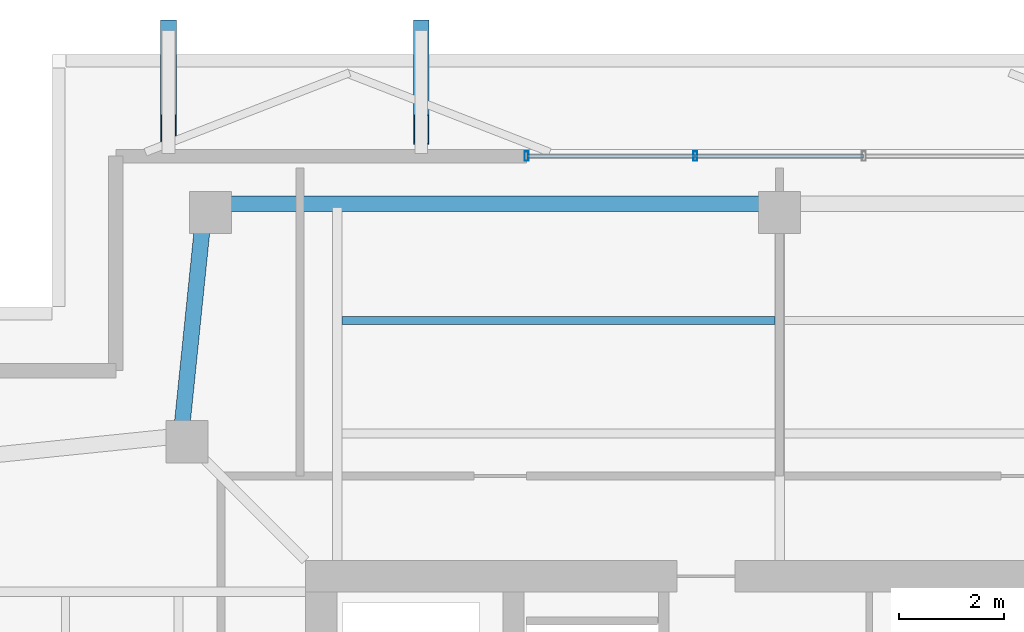
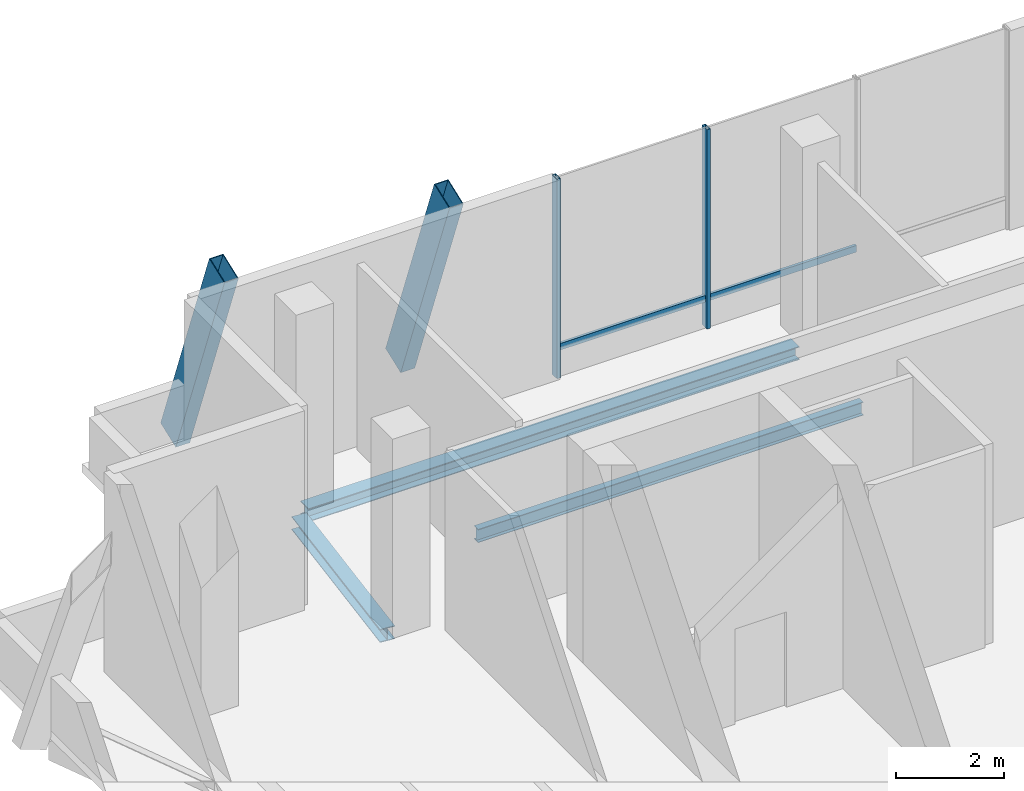
# One storey, part 10 of 15: 6 members, 3 beams, 1 element without a shape of its own.
"""IFC4 building model written with IfcOpenShell, lengths in metres."""

from ifc_helpers import new_model, si_unit, direction, frame, origin, origin_2d, place, context, subcontext, project, spatial, hollow_rectangle, i_section, extrude, material, layer, layer_set, material_profile, profile_set, type_object, element, aggregate, save


model = new_model("IFC4")

# Units and contexts
model_context = context("Model", 3, precision=1e-05, world=origin(), true_north=direction((0.0, 1.0)))
body_context = subcontext(model_context, "Body", "Model", "MODEL_VIEW")
ifc_project = project(units=[si_unit("LENGTHUNIT", "METRE"), si_unit("AREAUNIT", "SQUARE_METRE"), si_unit("VOLUMEUNIT", "CUBIC_METRE"), si_unit("PLANEANGLEUNIT", "RADIAN"), si_unit("MASSUNIT", "GRAM", prefix="KILO")], contexts=[model_context])

# Site, building, storey
site_placement = place(None, origin())
site = spatial("IfcSite", under=ifc_project, at=site_placement, CompositionType="ELEMENT")
building_placement = place(site_placement, origin())
building = spatial("IfcBuilding", under=site, at=building_placement, Name="Belovzor Exchange Tower", CompositionType="ELEMENT")
storey_placement = place(building_placement, frame((0.0, 0.0, 373.800048828125)))
storey = spatial("IfcBuildingStorey", under=building, at=storey_placement, Name="L93", CompositionType="ELEMENT", Elevation=373.800048828125)

# Beams
ifc_material_1 = material(Name="Steel S355", Category="steel")
ifc_material_profile_1 = material_profile(ifc_material_1, i_section(OverallWidth=0.300048828125, OverallDepth=0.300048828125, WebThickness=0.010986328125, FlangeThickness=0.01904296875, at=origin_2d()))
ifc_profile_set_1 = profile_set([ifc_material_profile_1], Name="Steel S355")
beam_type_1 = type_object("IfcBeamType", Name="Crown Plant Primary Beam HEB 300", PredefinedType="BEAM", material=ifc_profile_set_1)
beam_1_placement = place(storey_placement, frame((28.580078125, 44.569091796875, -0.449951171875), z_axis=(-1.0, 0.0, 0.0), x_axis=(0.0, -1.0, 0.0)))
element("IfcBeam", 1, at=beam_1_placement, inside=storey, type_object=beam_type_1, Name="FG-CR Crown Plant Primary Beam HEB 300", PredefinedType="BEAM", context=body_context, shape_type="SweptSolid", body=[
    extrude(i_section(OverallWidth=0.300048828125, OverallDepth=0.300048828125, WebThickness=0.010986328125, FlangeThickness=0.01904296875, at=origin_2d()), origin(), (0.0, 0.0, 1.0), 10.47216796875),
])
beam_2_placement = place(storey_placement, frame((17.865966796875, 44.35009765625, -0.449951171875), z_axis=(-0.101763348742, -0.994808635293, 0.0), x_axis=(0.994808635293, -0.101763348742, 0.0)))
element("IfcBeam", 2, at=beam_2_placement, inside=storey, type_object=beam_type_1, Name="FG-CR Crown Plant Primary Beam HEB 300", PredefinedType="BEAM", context=body_context, shape_type="SweptSolid", body=[
    extrude(i_section(OverallWidth=0.300048828125, OverallDepth=0.300048828125, WebThickness=0.010986328125, FlangeThickness=0.01904296875, at=origin_2d()), origin(), (0.0, 0.0, 1.0), 3.98974609375),
])
ifc_material_2 = material(Name="Steel S355", Category="steel")
ifc_material_profile_2 = material_profile(ifc_material_2, i_section(OverallWidth=0.14990234375, OverallDepth=0.300048828125, WebThickness=0.007080078125, FlangeThickness=0.0107421875, at=origin_2d()))
ifc_profile_set_2 = profile_set([ifc_material_profile_2], Name="Steel S355")
beam_type_2 = type_object("IfcBeamType", Name="Secondary Trim Floor Joist IPE 300", PredefinedType="BEAM", material=ifc_profile_set_2)
beam_3_placement = place(storey_placement, frame((20.489990234375, 42.35205078125, -0.449951171875), z_axis=(1.0, 0.0, 0.0), x_axis=(0.0, 1.0, 0.0)))
element("IfcBeam", 3, at=beam_3_placement, inside=storey, type_object=beam_type_2, Name="FJ-300 Secondary Trim Floor Joist IPE 300", PredefinedType="BEAM", context=body_context, shape_type="SweptSolid", body=[
    extrude(i_section(OverallWidth=0.14990234375, OverallDepth=0.300048828125, WebThickness=0.007080078125, FlangeThickness=0.0107421875, at=origin_2d()), origin(), (0.0, 0.0, 1.0), 8.219970703125),
])

# Curtain wall, members
ifc_material_3 = material(Name="Anodised Aluminium Framing", Category="aluminium")
ifc_layer = layer(ifc_material_3, 0.169921875)
ifc_layer_set = layer_set([ifc_layer], Name="Anodised Aluminium Framing")
curtain_wall_type = type_object("IfcCurtainWallType", Name="Stepped Crown Faceted Lantern Curtain Wall", PredefinedType="NOTDEFINED", material=ifc_layer_set)
curtain_wall_placement = place(storey_placement, origin())
curtain_wall = element("IfcCurtainWall", 4, at=curtain_wall_placement, inside=storey, type_object=curtain_wall_type, Name="CW6 Stepped Crown Faceted Lantern Curtain Wall L93", PredefinedType="NOTDEFINED")
ifc_material_4 = material(Name="Steel S355", Category="steel")
ifc_material_profile_3 = material_profile(ifc_material_4, hollow_rectangle(XDim=0.074951171875, YDim=0.179931640625, WallThickness=0.0048828125, at=origin_2d()))
ifc_profile_set_3 = profile_set([ifc_material_profile_3], Name="Steel S355")
member_type_1 = type_object("IfcMemberType", Name="Thermally Broken Curtain Wall Mullion 180x75", PredefinedType="MULLION", material=ifc_profile_set_3)
member_1_placement = place(storey_placement, frame((24.0, 45.469970703125, 0.0), z_axis=(0.0, 0.0, 1.0), x_axis=(1.0, 0.0, 0.0)))
member_1 = element("IfcMember", 5, at=member_1_placement, type_object=member_type_1, Name="CW-M180 Curtain Wall Mullion 1", PredefinedType="MULLION", context=body_context, shape_type="SweptSolid", body=[
    extrude(hollow_rectangle(XDim=0.074951171875, YDim=0.179931640625, WallThickness=0.0048828125, at=origin_2d()), origin(), (0.0, 0.0, 1.0), 4.5),
])
member_2_placement = place(storey_placement, frame((27.199951171875, 45.469970703125, 0.0), z_axis=(0.0, 0.0, 1.0), x_axis=(1.0, 0.0, 0.0)))
member_2 = element("IfcMember", 6, at=member_2_placement, type_object=member_type_1, Name="CW-M180 Curtain Wall Mullion 2", PredefinedType="MULLION", context=body_context, shape_type="SweptSolid", body=[
    extrude(hollow_rectangle(XDim=0.074951171875, YDim=0.179931640625, WallThickness=0.0048828125, at=origin_2d()), origin(), (0.0, 0.0, 1.0), 4.5),
])
ifc_material_5 = material(Name="Steel S355", Category="steel")
ifc_material_profile_4 = material_profile(ifc_material_5, hollow_rectangle(XDim=0.06005859375, YDim=0.14990234375, WallThickness=0.00390625, at=origin_2d()))
ifc_profile_set_4 = profile_set([ifc_material_profile_4], Name="Steel S355")
member_type_2 = type_object("IfcMemberType", Name="Thermally Broken Curtain Wall Transom 150x60", PredefinedType="USERDEFINED", material=ifc_profile_set_4)
member_3_placement = place(storey_placement, frame((24.008056640625, 45.469970703125, 0.64990234375), z_axis=(1.0, 0.0, 0.0), x_axis=(0.0, 1.0, 0.0)))
member_3 = element("IfcMember", 7, at=member_3_placement, type_object=member_type_2, Name="CW-T150 Curtain Wall Transom 1", ObjectType="TRANSOM", PredefinedType="USERDEFINED", context=body_context, shape_type="SweptSolid", body=[
    extrude(hollow_rectangle(XDim=0.06005859375, YDim=0.14990234375, WallThickness=0.00390625, at=origin_2d()), origin(), (0.0, 0.0, 1.0), 3.183837890625),
])
member_4_placement = place(storey_placement, frame((27.2080078125, 45.469970703125, 0.64990234375), z_axis=(1.0, 0.0, 0.0), x_axis=(0.0, 1.0, 0.0)))
member_4 = element("IfcMember", 8, at=member_4_placement, type_object=member_type_2, Name="CW-T150 Curtain Wall Transom 2", ObjectType="TRANSOM", PredefinedType="USERDEFINED", context=body_context, shape_type="SweptSolid", body=[
    extrude(hollow_rectangle(XDim=0.06005859375, YDim=0.14990234375, WallThickness=0.00390625, at=origin_2d()), origin(), (0.0, 0.0, 1.0), 3.18408203125),
])
aggregate(curtain_wall, [member_1, member_2, member_3, member_4])

# Members
ifc_material_6 = material(Name="Extruded Architectural Terracotta on Steel S355 Carrier", Category="masonry")
ifc_material_profile_5 = material_profile(ifc_material_6, hollow_rectangle(XDim=0.300048828125, YDim=0.60009765625, WallThickness=0.01611328125, at=origin_2d()))
ifc_profile_set_5 = profile_set([ifc_material_profile_5], Name="Extruded Architectural Terracotta on Steel S355 Carrier")
member_type_3 = type_object("IfcMemberType", Name="Upper Crown Terracotta Fin Assembly 550", PredefinedType="USERDEFINED", material=ifc_profile_set_5)
for number, where, z_axis, x_axis, name in (
    (9, (17.199951171875, 47.77490234375, -0.300048828125), (0.0, -0.351086907552, 0.93634287702), (1.0, 0.0, 0.0), "FIN-TC055 Terracotta Facade Fin L93 N1"),
    (10, (22.0, 47.77490234375, -0.300048828125), (0.0, -0.351086907552, 0.93634287702), (1.0, 0.0, 0.0), "FIN-TC055 Terracotta Facade Fin L93 N2"),
):
    element("IfcMember", number, at=place(storey_placement, frame(where, z_axis=z_axis, x_axis=x_axis)), inside=storey, type_object=member_type_3, Name=name, ObjectType="FIN", PredefinedType="USERDEFINED", context=body_context, shape_type="SweptSolid", body=[
        extrude(hollow_rectangle(XDim=0.300048828125, YDim=0.60009765625, WallThickness=0.01611328125, at=origin_2d()), origin(), (0.0, 0.0, 1.0), 5.12646484375),
    ])

save(model, "model.ifc")
